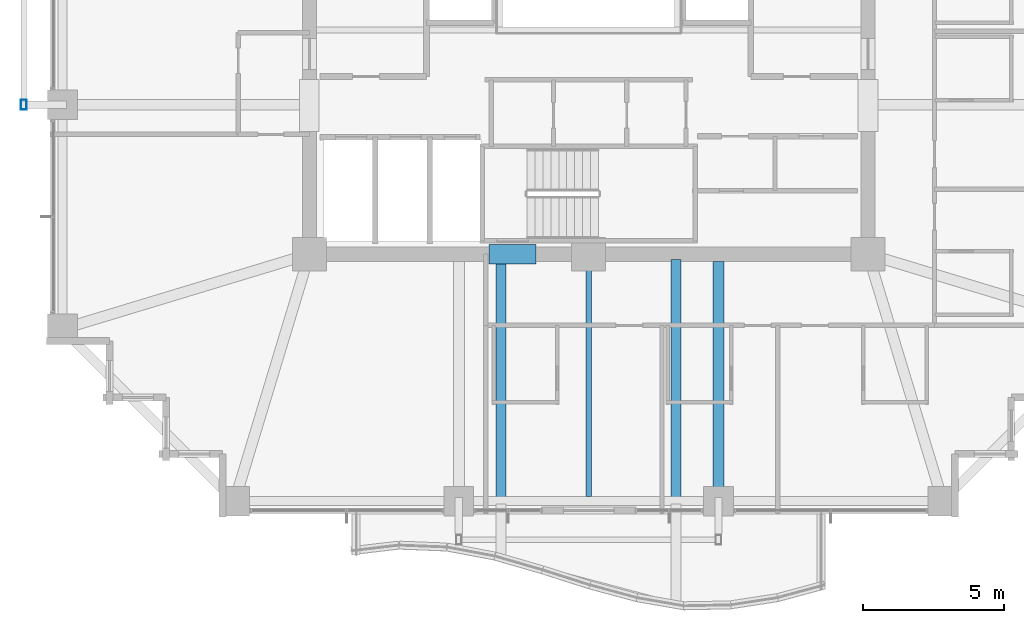
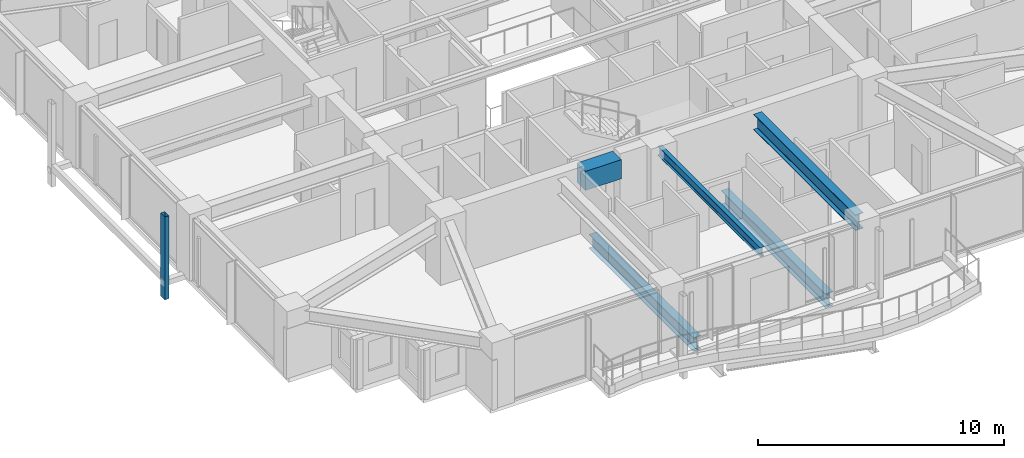
# One storey, part 7 of 34: 5 beams, 1 member.
"""IFC4 building model written with IfcOpenShell, lengths in metres."""

from ifc_helpers import new_model, si_unit, direction, frame, origin, origin_2d, place, context, subcontext, project, spatial, rectangle, hollow_rectangle, i_section, extrude, material, material_profile, profile_set, type_object, element, save


model = new_model("IFC4")

# Units and contexts
model_context = context("Model", 3, precision=1e-05, world=origin(), true_north=direction((0.0, 1.0)))
body_context = subcontext(model_context, "Body", "Model", "MODEL_VIEW")
ifc_project = project(units=[si_unit("LENGTHUNIT", "METRE"), si_unit("AREAUNIT", "SQUARE_METRE"), si_unit("VOLUMEUNIT", "CUBIC_METRE"), si_unit("PLANEANGLEUNIT", "RADIAN"), si_unit("MASSUNIT", "GRAM", prefix="KILO")], contexts=[model_context])

# Site, building, storey
site_placement = place(None, origin())
site = spatial("IfcSite", under=ifc_project, at=site_placement, CompositionType="ELEMENT")
building_placement = place(site_placement, origin())
building = spatial("IfcBuilding", under=site, at=building_placement, Name="Kolvaren Belvedere", CompositionType="ELEMENT")
storey_placement = place(building_placement, frame((0.0, 0.0, 111.800048828125)))
storey = spatial("IfcBuildingStorey", under=building, at=storey_placement, Name="L32", CompositionType="ELEMENT", Elevation=111.800048828125)

# Beams
ifc_material_1 = material(Name="Structural steel ASTM A992 Grade 50", Category="steel")
ifc_material_profile_1 = material_profile(ifc_material_1, i_section(OverallWidth=0.35498046875, OverallDepth=0.696044921875, WebThickness=0.015380859375, FlangeThickness=0.02490234375, FilletRadius=0.02197265625, at=origin_2d()), Name="W27X146")
ifc_profile_set_1 = profile_set([ifc_material_profile_1], Name="Structural steel ASTM A992 Grade 50")
beam_type_1 = type_object("IfcBeamType", Name="BM-GIRD-W27X146", PredefinedType="BEAM", material=ifc_profile_set_1)
for number, where, z_axis, x_axis, name in (
    (1, (-3.10009765625, -10.090087890625, -0.568115234375), (0.0, -1.0, 0.0), (1.0, 0.0, 0.0), "L32 Balcony Interior Back-Span Girder BAL-S-1"),
    (2, (3.10009765625, -10.090087890625, -0.568115234375), (0.0, -1.0, 0.0), (1.0, 0.0, 0.0), "L32 Balcony Interior Back-Span Girder BAL-S-2"),
):
    element("IfcBeam", number, at=place(storey_placement, frame(where, z_axis=z_axis, x_axis=x_axis)), inside=storey, type_object=beam_type_1, Name=name, PredefinedType="BEAM", context=body_context, shape_type="SweptSolid", body=[
        extrude(i_section(OverallWidth=0.35498046875, OverallDepth=0.696044921875, WebThickness=0.015380859375, FlangeThickness=0.02490234375, FilletRadius=0.02197265625, at=origin_2d()), origin(), (0.0, 0.0, 1.0), 8.46484375),
    ])
ifc_material_2 = material(Name="Structural steel ASTM A992 Grade 50", Category="steel")
ifc_material_profile_2 = material_profile(ifc_material_2, i_section(OverallWidth=0.381103515625, OverallDepth=0.77294921875, WebThickness=0.0166015625, FlangeThickness=0.027099609375, FilletRadius=0.02392578125, at=origin_2d()), Name="W30X173")
ifc_profile_set_2 = profile_set([ifc_material_profile_2], Name="Structural steel ASTM A992 Grade 50")
beam_type_2 = type_object("IfcBeamType", Name="BM-GIRD-W30X173", PredefinedType="BEAM", material=ifc_profile_set_2)
beam_1_placement = place(storey_placement, frame((4.60009765625, -10.14990234375, 2.693359375), z_axis=(0.0, -1.0, 0.0), x_axis=(1.0, 0.0, 0.0)))
element("IfcBeam", 3, at=beam_1_placement, inside=storey, type_object=beam_type_2, Name="L32 South Radial Girder P", PredefinedType="BEAM", context=body_context, shape_type="SweptSolid", body=[
    extrude(i_section(OverallWidth=0.381103515625, OverallDepth=0.77294921875, WebThickness=0.0166015625, FlangeThickness=0.027099609375, FilletRadius=0.02392578125, at=origin_2d()), origin(), (0.0, 0.0, 1.0), 8.263916015625),
])
ifc_material_3 = material(Name="Structural steel ASTM A992 Grade 50", Category="steel")
ifc_material_profile_3 = material_profile(ifc_material_3, i_section(OverallWidth=0.19091796875, OverallDepth=0.4599609375, WebThickness=0.010009765625, FlangeThickness=0.01611328125, FilletRadius=0.014892578125, at=origin_2d()), Name="W18X55")
ifc_profile_set_3 = profile_set([ifc_material_profile_3], Name="Structural steel ASTM A992 Grade 50")
beam_type_3 = type_object("IfcBeamType", Name="BM-JOIST-W18X55", PredefinedType="BEAM", material=ifc_profile_set_3)
beam_2_placement = place(storey_placement, frame((0.0, -10.14990234375, 2.849853515625), z_axis=(0.0, -1.0, 0.0), x_axis=(1.0, 0.0, 0.0)))
element("IfcBeam", 4, at=beam_2_placement, inside=storey, type_object=beam_type_3, Name="L32 South Centre Floor Beam", PredefinedType="BEAM", context=body_context, shape_type="SweptSolid", body=[
    extrude(i_section(OverallWidth=0.19091796875, OverallDepth=0.4599609375, WebThickness=0.010009765625, FlangeThickness=0.01611328125, FilletRadius=0.014892578125, at=origin_2d()), origin(), (0.0, 0.0, 1.0), 8.337646484375),
])
ifc_material_4 = material(Name="Concrete C60/75", Category="concrete")
ifc_material_profile_4 = material_profile(ifc_material_4, rectangle(XDim=0.699951171875, YDim=0.949951171875, at=origin_2d()), Name="RC 700X950")
ifc_profile_set_4 = profile_set([ifc_material_profile_4], Name="Concrete C60/75")
beam_type_4 = type_object("IfcBeamType", Name="BM-LINT-950", PredefinedType="LINTEL", material=ifc_profile_set_4)
beam_3_placement = place(storey_placement, frame((-3.5400390625, -9.89990234375, 2.60498046875), z_axis=(1.0, 0.0, 0.0), x_axis=(0.0, 1.0, 0.0)))
element("IfcBeam", 5, at=beam_3_placement, inside=storey, type_object=beam_type_4, Name="L32 South Core Coupling Lintel", PredefinedType="LINTEL", context=body_context, shape_type="SweptSolid", body=[
    extrude(rectangle(XDim=0.699951171875, YDim=0.949951171875, at=origin_2d()), origin(), (0.0, 0.0, 1.0), 1.679931640625),
])

# Member
ifc_material_5 = material(Name="Anodised pale-metal aluminium AA 6063-T6", Category="aluminium")
ifc_material_profile_5 = material_profile(ifc_material_5, hollow_rectangle(XDim=0.199951171875, YDim=0.35009765625, WallThickness=0.007568359375, at=origin_2d()), Name="ALU-PF-350X200")
ifc_profile_set_5 = profile_set([ifc_material_profile_5], Name="Anodised pale-metal aluminium AA 6063-T6")
member_type = type_object("IfcMemberType", Name="PF-FRAME-350", PredefinedType="USERDEFINED", material=ifc_profile_set_5)
member_placement = place(storey_placement, frame((-20.02001953125, -4.60009765625, -0.81005859375), z_axis=(0.0, 0.0, 1.0), x_axis=(1.0, 0.0, 0.0)))
element("IfcMember", 6, at=member_placement, inside=storey, type_object=member_type, Name="L32 Outboard Picture-Frame Vertical W1", ObjectType="PICTURE FRAME FIN", PredefinedType="USERDEFINED", context=body_context, shape_type="SweptSolid", body=[
    extrude(hollow_rectangle(XDim=0.199951171875, YDim=0.35009765625, WallThickness=0.007568359375, at=origin_2d()), origin(), (0.0, 0.0, 1.0), 4.110107421875),
])

save(model, "model.ifc")
